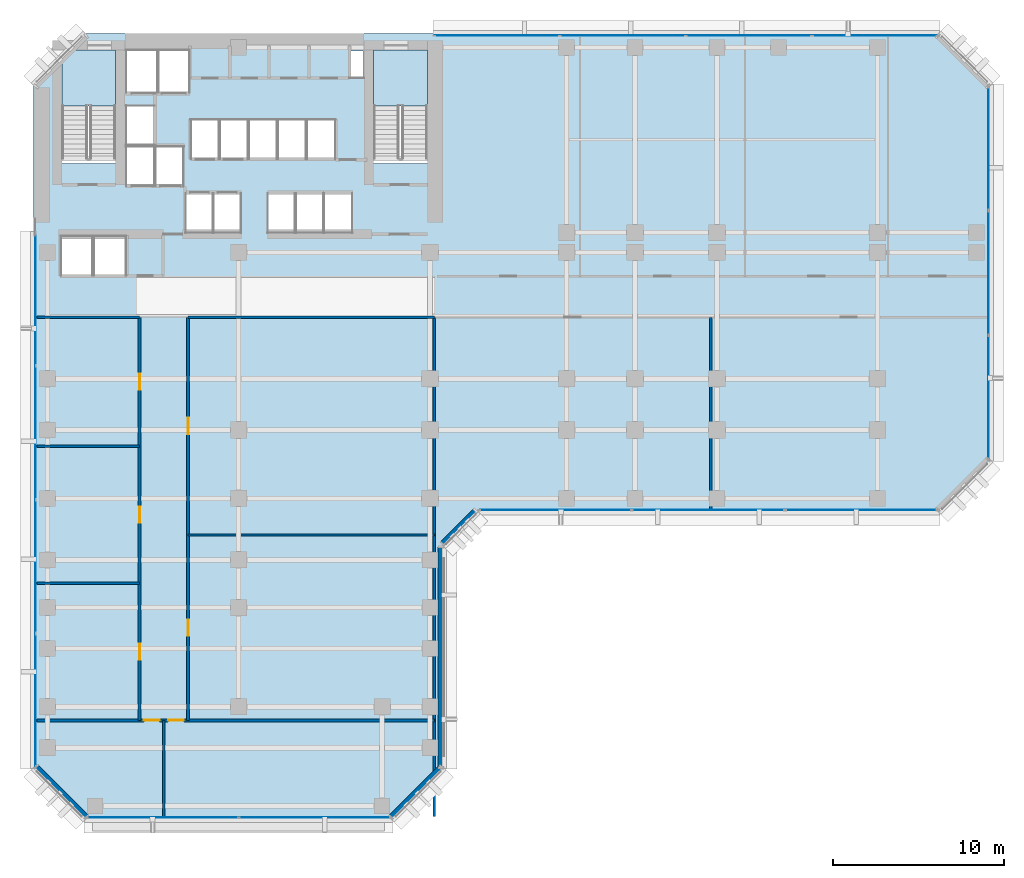
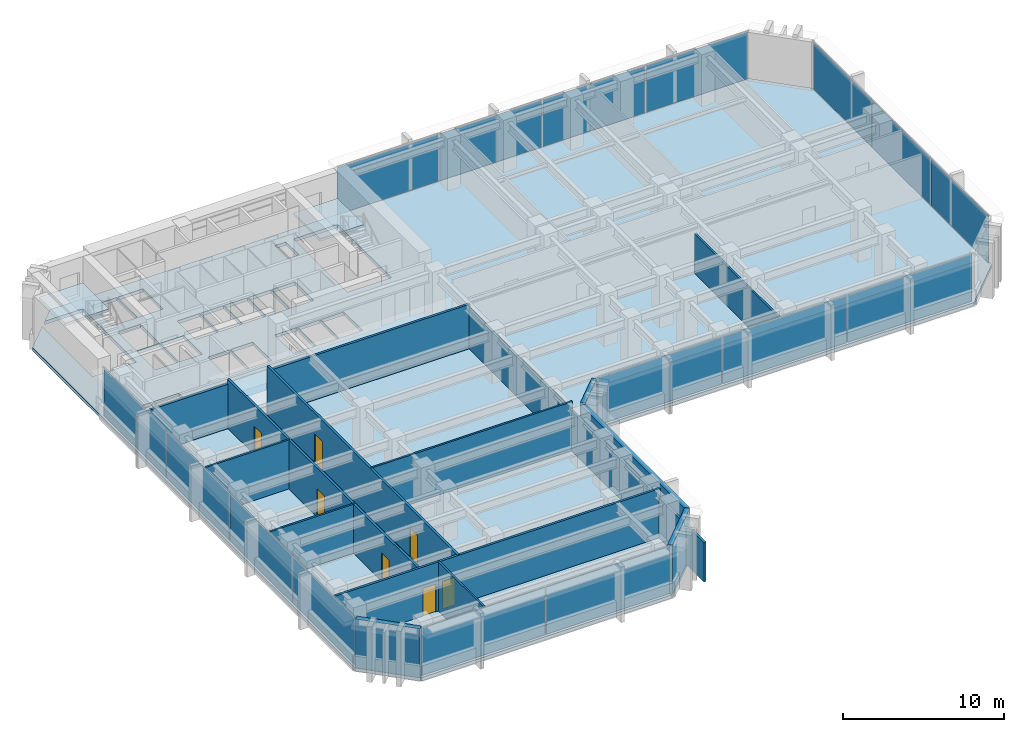
# One storey, part 6 of 14: 16 plates, 15 walls, 7 doors, 3 slabs, 7 openings, 7 elements without a shape of their own.
"""IFC4 building model written with IfcOpenShell, lengths in metres."""

from ifc_helpers import new_model, si_unit, direction, frame, frame_2d, origin, origin_2d, place, context, subcontext, project, spatial, polyline, rectangle, outline, extrude, material, layer, layer_set, type_object, element, fill, aggregate, save


model = new_model("IFC4")

# Units and contexts
model_context = context("Model", 3, precision=1e-05, world=origin(), true_north=direction((0.0, 1.0)))
body_context = subcontext(model_context, "Body", "Model", "MODEL_VIEW")
ifc_project = project(units=[si_unit("LENGTHUNIT", "METRE"), si_unit("AREAUNIT", "SQUARE_METRE"), si_unit("VOLUMEUNIT", "CUBIC_METRE"), si_unit("PLANEANGLEUNIT", "RADIAN"), si_unit("MASSUNIT", "GRAM", prefix="KILO")], contexts=[model_context])

# Site, building, storey
site_placement = place(None, origin())
site = spatial("IfcSite", under=ifc_project, at=site_placement, CompositionType="ELEMENT")
building_placement = place(site_placement, origin())
building = spatial("IfcBuilding", under=site, at=building_placement, Name="Kefirva Bronze Tower", CompositionType="ELEMENT")
storey_placement = place(building_placement, frame((0.0, 0.0, 42.239990234375)))
storey = spatial("IfcBuildingStorey", under=building, at=storey_placement, Name="L09", CompositionType="ELEMENT", Elevation=42.239990234375)

# Stair, slab
ifc_material_1 = material(Name="Concrete C40/50", Category="concrete")
stair_type = type_object("IfcStairType", Name="RC Dogleg Protected Stair 24R", PredefinedType="HALF_TURN_STAIR", material=ifc_material_1)
stair_1_placement = place(storey_placement, origin())
stair_1 = element("IfcStair", 1, at=stair_1_placement, inside=storey, type_object=stair_type, Name="L09 Protected Exit Stair 1", PredefinedType="HALF_TURN_STAIR")
ifc_layer_1 = layer(ifc_material_1, 0.199951171875, Name="Concrete C40/50")
ifc_layer_set_1 = layer_set([ifc_layer_1], Name="Concrete C40/50")
slab_type_1 = type_object("IfcSlabType", Name="RC Stair Landing Slab 200mm", PredefinedType="LANDING", material=ifc_layer_set_1)
slab_1_placement = place(storey_placement, frame((0.0, 0.0, 1.780029296875)))
slab_1 = element("IfcSlab", 2, at=slab_1_placement, type_object=slab_type_1, Name="ST-1 landing 1", PredefinedType="LANDING", context=body_context, shape_type="SweptSolid", body=[
    extrude(outline(polyline([(4.800048828125, 41.780029296875), (4.800048828125, 45.050048828125), (1.64990234375, 45.050048828125), (1.64990234375, 41.780029296875), (4.800048828125, 41.780029296875)])), origin(), (0.0, 0.0, 1.0), 0.199951171875),
])
aggregate(stair_1, [slab_1])

stair_2_placement = place(storey_placement, origin())
stair_2 = element("IfcStair", 3, at=stair_2_placement, inside=storey, type_object=stair_type, Name="L09 Protected Exit Stair 2", PredefinedType="HALF_TURN_STAIR")
slab_2_placement = place(storey_placement, frame((0.0, 0.0, 1.780029296875)))
slab_2 = element("IfcSlab", 4, at=slab_2_placement, type_object=slab_type_1, Name="ST-2 landing 1", PredefinedType="LANDING", context=body_context, shape_type="SweptSolid", body=[
    extrude(outline(polyline([(23.050048828125, 41.780029296875), (23.050048828125, 45.050048828125), (19.89990234375, 45.050048828125), (19.89990234375, 41.780029296875), (23.050048828125, 41.780029296875)])), origin(), (0.0, 0.0, 1.0), 0.199951171875),
])
aggregate(stair_2, [slab_2])

# Slab
ifc_layer_2 = layer(ifc_material_1, 0.25, Name="Concrete C40/50")
ifc_layer_set_2 = layer_set([ifc_layer_2], Name="Concrete C40/50")
slab_type_2 = type_object("IfcSlabType", Name="RC Tower Floor Slab 250mm", PredefinedType="FLOOR", material=ifc_layer_set_2)
slab_3_placement = place(storey_placement, frame((0.0, 0.0, -0.25)))
element("IfcSlab", 5, at=slab_3_placement, inside=storey, type_object=slab_type_2, Name="L09 Structural Floor Slab", PredefinedType="FLOOR", context=body_context, shape_type="SweptSolid", body=[
    extrude(outline(polyline([(0.0, 3.0), (0.0, 43.0), (1.64990234375, 44.64990234375), (1.64990234375, 38.39990234375), (4.800048828125, 38.39990234375), (4.800048828125, 45.050048828125), (2.050048828125, 45.050048828125), (3.0, 46.0), (53.0, 46.0), (56.0, 43.0), (56.0, 21.0), (53.0, 18.0), (26.0, 18.0), (24.0, 16.0), (24.0, 3.0), (21.0, 0.0), (3.0, 0.0), (0.0, 3.0)]), holes=[polyline([(19.89990234375, 38.39990234375), (23.050048828125, 38.39990234375), (23.050048828125, 45.050048828125), (19.89990234375, 45.050048828125), (19.89990234375, 38.39990234375)]), polyline([(18.52001953125, 43.419921875), (19.320068359375, 43.419921875), (19.320068359375, 45.0), (18.52001953125, 45.0), (18.52001953125, 43.419921875)]), polyline([(17.0, 34.35009765625), (18.64990234375, 34.35009765625), (18.64990234375, 36.64990234375), (17.0, 36.64990234375), (17.0, 34.35009765625)]), polyline([(17.64990234375, 38.679931640625), (17.64990234375, 40.97998046875), (16.0, 40.97998046875), (16.0, 38.679931640625), (17.64990234375, 38.679931640625)]), polyline([(16.949951171875, 34.35009765625), (16.949951171875, 36.64990234375), (15.35009765625, 36.64990234375), (15.35009765625, 34.35009765625), (16.949951171875, 34.35009765625)]), polyline([(15.929931640625, 38.679931640625), (15.929931640625, 40.97998046875), (14.300048828125, 40.97998046875), (14.300048828125, 38.679931640625), (15.929931640625, 38.679931640625)]), polyline([(15.300048828125, 34.35009765625), (15.300048828125, 36.64990234375), (13.699951171875, 36.64990234375), (13.699951171875, 34.35009765625), (15.300048828125, 34.35009765625)]), polyline([(14.22998046875, 38.679931640625), (14.22998046875, 40.97998046875), (12.60009765625, 40.97998046875), (12.60009765625, 38.679931640625), (14.22998046875, 38.679931640625)]), polyline([(10.89990234375, 38.679931640625), (12.530029296875, 38.679931640625), (12.530029296875, 40.97998046875), (10.89990234375, 40.97998046875), (10.89990234375, 38.679931640625)]), polyline([(12.139892578125, 34.35009765625), (12.139892578125, 36.64990234375), (10.5400390625, 36.64990234375), (10.5400390625, 34.35009765625), (12.139892578125, 34.35009765625)]), polyline([(10.830078125, 38.679931640625), (10.830078125, 40.97998046875), (9.199951171875, 40.97998046875), (9.199951171875, 38.679931640625), (10.830078125, 38.679931640625)]), polyline([(10.5, 34.35009765625), (10.5, 36.64990234375), (8.89990234375, 36.64990234375), (8.89990234375, 34.35009765625), (10.5, 34.35009765625)]), polyline([(7.300048828125, 42.550048828125), (9.1201171875, 42.550048828125), (9.1201171875, 45.050048828125), (7.300048828125, 45.050048828125), (7.300048828125, 42.550048828125)]), polyline([(7.139892578125, 37.10009765625), (8.780029296875, 37.10009765625), (8.780029296875, 39.39990234375), (7.139892578125, 39.39990234375), (7.139892578125, 37.10009765625)]), polyline([(5.419921875, 42.550048828125), (7.239990234375, 42.550048828125), (7.239990234375, 45.050048828125), (5.419921875, 45.050048828125), (5.419921875, 42.550048828125)]), polyline([(7.06005859375, 39.47998046875), (7.06005859375, 41.780029296875), (5.419921875, 41.780029296875), (5.419921875, 39.47998046875), (7.06005859375, 39.47998046875)]), polyline([(5.419921875, 37.10009765625), (7.06005859375, 37.10009765625), (7.06005859375, 39.39990234375), (5.419921875, 39.39990234375), (5.419921875, 37.10009765625)]), polyline([(5.39990234375, 31.85009765625), (5.39990234375, 34.14990234375), (3.550048828125, 34.14990234375), (3.550048828125, 31.85009765625), (5.39990234375, 31.85009765625)]), polyline([(3.449951171875, 31.85009765625), (3.449951171875, 34.14990234375), (1.60009765625, 34.14990234375), (1.60009765625, 31.85009765625), (3.449951171875, 31.85009765625)])]), origin(), (0.0, 0.0, 1.0), 0.25),
])

# Curtain wall, plates
ifc_material_2 = material(Name="Bronze anodised aluminium", Category="aluminium")
ifc_layer_3 = layer(ifc_material_2, 0.199951171875, Name="Bronze anodised aluminium")
ifc_layer_set_3 = layer_set([ifc_layer_3], Name="Bronze anodised aluminium")
curtain_wall_type = type_object("IfcCurtainWallType", Name="Unitised Bronze Ribbon Curtain Wall Zone 1", PredefinedType="USERDEFINED", material=ifc_layer_set_3)
curtain_wall_1_placement = place(storey_placement, origin())
curtain_wall_1 = element("IfcCurtainWall", 6, at=curtain_wall_1_placement, inside=storey, type_object=curtain_wall_type, Name="L09 Curtain Wall 1", ObjectType="UNITISED CURTAIN WALL", PredefinedType="USERDEFINED")
ifc_material_3 = material(Name="Laminated low-E double glazing", Category="glass")
ifc_layer_4 = layer(ifc_material_3, 0.031982421875, Name="Laminated low-E double glazing")
ifc_layer_set_4 = layer_set([ifc_layer_4], Name="Laminated low-E double glazing")
plate_type = type_object("IfcPlateType", Name="Solar-Control Low-E Vision Panel 32mm", PredefinedType="CURTAIN_PANEL", material=ifc_layer_set_4)
plate_1_placement = place(storey_placement, frame((7.546142578125, 0.1201171875, 0.074951171875), z_axis=(0.0, 0.0, 1.0), x_axis=(1.0, 0.0, 0.0)))
plate_1 = element("IfcPlate", 7, at=plate_1_placement, type_object=plate_type, Name="CW-01 panel 1.1", PredefinedType="CURTAIN_PANEL", context=body_context, shape_type="SweptSolid", body=[
    extrude(rectangle(XDim=8.83251953125, YDim=0.031982421875, at=origin_2d()), origin(), (0.0, 0.0, 1.0), 3.56005859375),
])
plate_2_placement = place(storey_placement, frame((16.453857421875, 0.1201171875, 0.074951171875), z_axis=(0.0, 0.0, 1.0), x_axis=(1.0, 0.0, 0.0)))
plate_2 = element("IfcPlate", 8, at=plate_2_placement, type_object=plate_type, Name="CW-01 panel 2.1", PredefinedType="CURTAIN_PANEL", context=body_context, shape_type="SweptSolid", body=[
    extrude(rectangle(XDim=8.83251953125, YDim=0.031982421875, at=origin_2d()), origin(), (0.0, 0.0, 1.0), 3.56005859375),
])
aggregate(curtain_wall_1, [plate_1, plate_2])

curtain_wall_2_placement = place(storey_placement, origin())
curtain_wall_2 = element("IfcCurtainWall", 9, at=curtain_wall_2_placement, inside=storey, type_object=curtain_wall_type, Name="L09 Curtain Wall 2", ObjectType="UNITISED CURTAIN WALL", PredefinedType="USERDEFINED")
plate_3_placement = place(storey_placement, frame((30.555419921875, 18.1201171875, 0.074951171875), z_axis=(0.0, 0.0, 1.0), x_axis=(1.0, 0.0, 0.0)))
plate_3 = element("IfcPlate", 10, at=plate_3_placement, type_object=plate_type, Name="CW-01 panel 1.1", PredefinedType="CURTAIN_PANEL", context=body_context, shape_type="SweptSolid", body=[
    extrude(rectangle(XDim=8.850830078125, YDim=0.031982421875, at=origin_2d()), origin(), (0.0, 0.0, 1.0), 3.56005859375),
])
plate_4_placement = place(storey_placement, frame((39.5, 18.1201171875, 0.074951171875), z_axis=(0.0, 0.0, 1.0), x_axis=(1.0, 0.0, 0.0)))
plate_4 = element("IfcPlate", 11, at=plate_4_placement, type_object=plate_type, Name="CW-01 panel 2.1", PredefinedType="CURTAIN_PANEL", context=body_context, shape_type="SweptSolid", body=[
    extrude(rectangle(XDim=8.888427734375, YDim=0.031982421875, at=origin_2d()), origin(), (0.0, 0.0, 1.0), 3.56005859375),
])
plate_5_placement = place(storey_placement, frame((48.444580078125, 18.1201171875, 0.074951171875), z_axis=(0.0, 0.0, 1.0), x_axis=(1.0, 0.0, 0.0)))
plate_5 = element("IfcPlate", 12, at=plate_5_placement, type_object=plate_type, Name="CW-01 panel 3.1", PredefinedType="CURTAIN_PANEL", context=body_context, shape_type="SweptSolid", body=[
    extrude(rectangle(XDim=8.850830078125, YDim=0.031982421875, at=origin_2d()), origin(), (0.0, 0.0, 1.0), 3.56005859375),
])
aggregate(curtain_wall_2, [plate_3, plate_4, plate_5])

curtain_wall_3_placement = place(storey_placement, origin())
curtain_wall_3 = element("IfcCurtainWall", 13, at=curtain_wall_3_placement, inside=storey, type_object=curtain_wall_type, Name="L09 Curtain Wall 3", ObjectType="UNITISED CURTAIN WALL", PredefinedType="USERDEFINED")
plate_6_placement = place(storey_placement, frame((55.8798828125, 24.72216796875, 0.074951171875), z_axis=(0.0, 0.0, 1.0), x_axis=(0.0, 1.0, 0.0)))
plate_6 = element("IfcPlate", 14, at=plate_6_placement, type_object=plate_type, Name="CW-01 panel 1.1", PredefinedType="CURTAIN_PANEL", context=body_context, shape_type="SweptSolid", body=[
    extrude(rectangle(XDim=7.18408203125, YDim=0.031982421875, at=origin_2d()), origin(), (0.0, 0.0, 1.0), 3.56005859375),
])
plate_7_placement = place(storey_placement, frame((55.8798828125, 32.0, 0.074951171875), z_axis=(0.0, 0.0, 1.0), x_axis=(0.0, 1.0, 0.0)))
plate_7 = element("IfcPlate", 15, at=plate_7_placement, type_object=plate_type, Name="CW-01 panel 2.1", PredefinedType="CURTAIN_PANEL", context=body_context, shape_type="SweptSolid", body=[
    extrude(rectangle(XDim=7.2216796875, YDim=0.031982421875, at=origin_2d()), origin(), (0.0, 0.0, 1.0), 3.56005859375),
])
plate_8_placement = place(storey_placement, frame((55.8798828125, 39.27783203125, 0.074951171875), z_axis=(0.0, 0.0, 1.0), x_axis=(0.0, 1.0, 0.0)))
plate_8 = element("IfcPlate", 16, at=plate_8_placement, type_object=plate_type, Name="CW-01 panel 3.1", PredefinedType="CURTAIN_PANEL", context=body_context, shape_type="SweptSolid", body=[
    extrude(rectangle(XDim=7.18408203125, YDim=0.031982421875, at=origin_2d()), origin(), (0.0, 0.0, 1.0), 3.56005859375),
])
aggregate(curtain_wall_3, [plate_6, plate_7, plate_8])

curtain_wall_4_placement = place(storey_placement, origin())
curtain_wall_4 = element("IfcCurtainWall", 17, at=curtain_wall_4_placement, inside=storey, type_object=curtain_wall_type, Name="L09 Curtain Wall 4", ObjectType="UNITISED CURTAIN WALL", PredefinedType="USERDEFINED")
plate_9_placement = place(storey_placement, frame((49.233642578125, 45.8798828125, 0.074951171875), z_axis=(0.0, 0.0, 1.0), x_axis=(-1.0, 0.0, 0.0)))
plate_9 = element("IfcPlate", 18, at=plate_9_placement, type_object=plate_type, Name="CW-01 panel 1.1", PredefinedType="CURTAIN_PANEL", context=body_context, shape_type="SweptSolid", body=[
    extrude(rectangle(XDim=7.2724609375, YDim=0.031982421875, at=origin_2d()), origin(), (0.0, 0.0, 1.0), 3.56005859375),
])
plate_10_placement = place(storey_placement, frame((41.867431640625, 45.8798828125, 0.074951171875), z_axis=(0.0, 0.0, 1.0), x_axis=(-1.0, 0.0, 0.0)))
plate_10 = element("IfcPlate", 19, at=plate_10_placement, type_object=plate_type, Name="CW-01 panel 2.1", PredefinedType="CURTAIN_PANEL", context=body_context, shape_type="SweptSolid", body=[
    extrude(rectangle(XDim=7.31005859375, YDim=0.031982421875, at=origin_2d()), origin(), (0.0, 0.0, 1.0), 3.56005859375),
])
plate_11_placement = place(storey_placement, frame((34.482421875, 45.8798828125, 0.074951171875), z_axis=(0.0, 0.0, 1.0), x_axis=(-1.0, 0.0, 0.0)))
plate_11 = element("IfcPlate", 20, at=plate_11_placement, type_object=plate_type, Name="CW-01 panel 3.1", PredefinedType="CURTAIN_PANEL", context=body_context, shape_type="SweptSolid", body=[
    extrude(rectangle(XDim=7.31005859375, YDim=0.031982421875, at=origin_2d()), origin(), (0.0, 0.0, 1.0), 3.56005859375),
])
plate_12_placement = place(storey_placement, frame((27.1162109375, 45.8798828125, 0.074951171875), z_axis=(0.0, 0.0, 1.0), x_axis=(-1.0, 0.0, 0.0)))
plate_12 = element("IfcPlate", 21, at=plate_12_placement, type_object=plate_type, Name="CW-01 panel 4.1", PredefinedType="CURTAIN_PANEL", context=body_context, shape_type="SweptSolid", body=[
    extrude(rectangle(XDim=7.2724609375, YDim=0.031982421875, at=origin_2d()), origin(), (0.0, 0.0, 1.0), 3.56005859375),
])
aggregate(curtain_wall_4, [plate_9, plate_10, plate_11, plate_12])

curtain_wall_5_placement = place(storey_placement, origin())
curtain_wall_5 = element("IfcCurtainWall", 22, at=curtain_wall_5_placement, inside=storey, type_object=curtain_wall_type, Name="L09 Curtain Wall 5", ObjectType="UNITISED CURTAIN WALL", PredefinedType="USERDEFINED")
plate_13_placement = place(storey_placement, frame((0.1201171875, 30.458740234375, 0.074951171875), z_axis=(0.0, 0.0, 1.0), x_axis=(0.0, -1.0, 0.0)))
plate_13 = element("IfcPlate", 23, at=plate_13_placement, type_object=plate_type, Name="CW-01 panel 1.1", PredefinedType="CURTAIN_PANEL", context=body_context, shape_type="SweptSolid", body=[
    extrude(rectangle(XDim=7.722412109375, YDim=0.031982421875, at=origin_2d()), origin(), (0.0, 0.0, 1.0), 3.56005859375),
])
plate_14_placement = place(storey_placement, frame((0.1201171875, 22.642578125, 0.074951171875), z_axis=(0.0, 0.0, 1.0), x_axis=(0.0, -1.0, 0.0)))
plate_14 = element("IfcPlate", 24, at=plate_14_placement, type_object=plate_type, Name="CW-01 panel 2.1", PredefinedType="CURTAIN_PANEL", context=body_context, shape_type="SweptSolid", body=[
    extrude(rectangle(XDim=7.760009765625, YDim=0.031982421875, at=origin_2d()), origin(), (0.0, 0.0, 1.0), 3.56005859375),
])
plate_15_placement = place(storey_placement, frame((0.1201171875, 14.8076171875, 0.074951171875), z_axis=(0.0, 0.0, 1.0), x_axis=(0.0, -1.0, 0.0)))
plate_15 = element("IfcPlate", 25, at=plate_15_placement, type_object=plate_type, Name="CW-01 panel 3.1", PredefinedType="CURTAIN_PANEL", context=body_context, shape_type="SweptSolid", body=[
    extrude(rectangle(XDim=7.760009765625, YDim=0.031982421875, at=origin_2d()), origin(), (0.0, 0.0, 1.0), 3.56005859375),
])
plate_16_placement = place(storey_placement, frame((0.1201171875, 6.9912109375, 0.074951171875), z_axis=(0.0, 0.0, 1.0), x_axis=(0.0, -1.0, 0.0)))
plate_16 = element("IfcPlate", 26, at=plate_16_placement, type_object=plate_type, Name="CW-01 panel 4.1", PredefinedType="CURTAIN_PANEL", context=body_context, shape_type="SweptSolid", body=[
    extrude(rectangle(XDim=7.722412109375, YDim=0.031982421875, at=origin_2d()), origin(), (0.0, 0.0, 1.0), 3.56005859375),
])
aggregate(curtain_wall_5, [plate_13, plate_14, plate_15, plate_16])

# Walls
ifc_material_4 = material(Name="Gypsum acoustic partition")
ifc_layer_5 = layer(ifc_material_4, 0.1298828125, Name="Gypsum acoustic partition")
ifc_layer_set_5 = layer_set([ifc_layer_5], Name="Gypsum acoustic partition")
wall_type_1 = type_object("IfcWallType", Name="Acoustic Office Partition 130mm", PredefinedType="PARTITIONING", material=ifc_layer_set_5)
wall_1_placement = place(storey_placement, frame((7.6201171875, 0.18994140625, 0.0), z_axis=(0.0, 0.0, 1.0), x_axis=(0.0, 1.0, 0.0)))
element("IfcWall", 27, at=wall_1_placement, inside=storey, type_object=wall_type_1, Name="L09 Partition W-L09-CAPDV", PredefinedType="PARTITIONING", context=body_context, shape_type="SweptSolid", body=[
    extrude(rectangle(XDim=5.610107421875, YDim=0.1298828125, at=frame_2d((2.80517578125, 0.0))), origin(), (0.0, 0.0, 1.0), 3.7099609375),
])
for number, where, z_axis, x_axis, name in (
    (28, (0.18994140625, 13.823974609375, 0.0), (0.0, 0.0, 1.0), (1.0, 0.0, 0.0), "L09 Partition W-L09-SWD1"),
    (29, (0.18994140625, 21.847900390625, 0.0), (0.0, 0.0, 1.0), (1.0, 0.0, 0.0), "L09 Partition W-L09-SWD2"),
):
    element("IfcWall", number, at=place(storey_placement, frame(where, z_axis=z_axis, x_axis=x_axis)), inside=storey, type_object=wall_type_1, Name=name, PredefinedType="PARTITIONING", context=body_context, shape_type="SweptSolid", body=[
        extrude(rectangle(XDim=6.010009765625, YDim=0.1298828125, at=frame_2d((3.0048828125, 0.0))), origin(), (0.0, 0.0, 1.0), 3.7099609375),
    ])
wall_2_placement = place(storey_placement, frame((9.0400390625, 16.656005859375, 0.0), z_axis=(0.0, 0.0, 1.0), x_axis=(1.0, 0.0, 0.0)))
element("IfcWall", 30, at=wall_2_placement, inside=storey, type_object=wall_type_1, Name="L09 Partition W-L09-SED1", PredefinedType="PARTITIONING", context=body_context, shape_type="SweptSolid", body=[
    extrude(rectangle(XDim=14.409912109375, YDim=0.1298828125, at=frame_2d((7.205078125, 0.0))), origin(), (0.0, 0.0, 1.0), 3.7099609375),
])
wall_3_placement = place(storey_placement, frame((39.6298828125, 18.18994140625, 0.0), z_axis=(0.0, 0.0, 1.0), x_axis=(0.0, 1.0, 0.0)))
element("IfcWall", 31, at=wall_3_placement, inside=storey, type_object=wall_type_1, Name="L09 Partition W-L09-ESD1", PredefinedType="PARTITIONING", context=body_context, shape_type="SweptSolid", body=[
    extrude(rectangle(XDim=11.2099609375, YDim=0.1298828125, at=frame_2d((5.60498046875, 0.0))), origin(), (0.0, 0.0, 1.0), 2.9951171875),
])
ifc_material_5 = material(Name="Precast concrete C40/50", Category="concrete")
ifc_layer_6 = layer(ifc_material_5, 0.320068359375, Name="Precast concrete C40/50")
ifc_layer_set_6 = layer_set([ifc_layer_6], Name="Precast concrete C40/50")
wall_type_2 = type_object("IfcWallType", Name="Precast Insulated Exterior Wall 320mm", PredefinedType="SOLIDWALL", material=ifc_layer_set_6)
wall_4_placement = place(storey_placement, frame((20.92578125, 0.152099609375, 0.0), z_axis=(0.0, 0.0, 1.0), x_axis=(0.707106781187, 0.707106781187, 0.0)))
element("IfcWall", 32, at=wall_4_placement, inside=storey, type_object=wall_type_2, Name="L09 Exterior Facade Wall 1", PredefinedType="SOLIDWALL", context=body_context, shape_type="SweptSolid", body=[
    extrude(rectangle(XDim=4.132568359375, YDim=0.320068359375, at=frame_2d((2.06640625, 0.0))), origin(), (0.0, 0.0, 1.0), 3.7099609375),
])
wall_5_placement = place(storey_placement, frame((23.840087890625, 3.054931640625, 0.0), z_axis=(0.0, 0.0, 1.0), x_axis=(0.0, 1.0, 0.0)))
element("IfcWall", 33, at=wall_5_placement, inside=storey, type_object=wall_type_2, Name="L09 Exterior Facade Wall 2", PredefinedType="SOLIDWALL", context=body_context, shape_type="SweptSolid", body=[
    extrude(rectangle(XDim=12.89013671875, YDim=0.320068359375, at=frame_2d((6.445068359375, 0.0))), origin(), (0.0, 0.0, 1.0), 3.7099609375),
])
wall_6_placement = place(storey_placement, frame((23.92578125, 16.152099609375, 0.0), z_axis=(0.0, 0.0, 1.0), x_axis=(0.707106781187, 0.707106781187, 0.0)))
element("IfcWall", 34, at=wall_6_placement, inside=storey, type_object=wall_type_2, Name="L09 Exterior Facade Wall 3", PredefinedType="SOLIDWALL", context=body_context, shape_type="SweptSolid", body=[
    extrude(rectangle(XDim=2.71826171875, YDim=0.320068359375, at=frame_2d((1.359130859375, 0.0))), origin(), (0.0, 0.0, 1.0), 3.7099609375),
])
wall_7_placement = place(storey_placement, frame((0.152099609375, 3.07421875, 0.0), z_axis=(0.0, 0.0, 1.0), x_axis=(0.707106781187, -0.707106781187, 0.0)))
element("IfcWall", 35, at=wall_7_placement, inside=storey, type_object=wall_type_2, Name="L09 Exterior Facade Wall 7", PredefinedType="SOLIDWALL", context=body_context, shape_type="SweptSolid", body=[
    extrude(rectangle(XDim=4.132568359375, YDim=0.320068359375, at=frame_2d((2.06640625, 0.0))), origin(), (0.0, 0.0, 1.0), 3.7099609375),
])

# Wall, openings, doors
ifc_layer_7 = layer(ifc_material_4, 0.159912109375, Name="Gypsum acoustic partition")
ifc_layer_set_7 = layer_set([ifc_layer_7], Name="Gypsum acoustic partition")
wall_type_3 = type_object("IfcWallType", Name="Protected Corridor Partition 160mm", PredefinedType="PARTITIONING", material=ifc_layer_set_7)
wall_8_placement = place(storey_placement, frame((6.199951171875, 5.800048828125, 0.0), z_axis=(0.0, 0.0, 1.0), x_axis=(0.0, 1.0, 0.0)))
wall_8 = element("IfcWall", 36, at=wall_8_placement, inside=storey, type_object=wall_type_3, Name="L09 Partition W-L09-SWCORW", PredefinedType="PARTITIONING", context=body_context, shape_type="SweptSolid", body=[
    extrude(rectangle(XDim=23.599853515625, YDim=0.159912109375, at=frame_2d((11.7998046875, 0.0))), origin(), (0.0, 0.0, 1.0), 3.7099609375),
])
opening_1_placement = place(wall_8_placement, frame((4.487060546875, 0.0, 0.0), z_axis=(0.0, 0.0, 1.0), x_axis=(-1.0, 0.0, 0.0)))
opening_1 = element("IfcOpeningElement", 37, at=opening_1_placement, cuts=wall_8, Name="Opening L09-D-SW1", PredefinedType="OPENING", context=body_context, shape_type="SweptSolid", body=[
    extrude(rectangle(XDim=0.949951171875, YDim=2.14990234375, at=frame_2d((0.47509765625, 1.074951171875))), frame((0.0, 0.08984375, 0.0), z_axis=(0.0, -1.0, 0.0), x_axis=(1.0, 0.0, 0.0)), (0.0, 0.0, 1.0), 0.179931640625),
])
opening_2_placement = place(wall_8_placement, frame((12.510986328125, 0.0, 0.0), z_axis=(0.0, 0.0, 1.0), x_axis=(-1.0, 0.0, 0.0)))
opening_2 = element("IfcOpeningElement", 38, at=opening_2_placement, cuts=wall_8, Name="Opening L09-D-SW2", PredefinedType="OPENING", context=body_context, shape_type="SweptSolid", body=[
    extrude(rectangle(XDim=0.949951171875, YDim=2.14990234375, at=frame_2d((0.47509765625, 1.074951171875))), frame((0.0, 0.08984375, 0.0), z_axis=(0.0, -1.0, 0.0), x_axis=(1.0, 0.0, 0.0)), (0.0, 0.0, 1.0), 0.179931640625),
])
opening_3_placement = place(wall_8_placement, frame((20.299072265625, 0.0, 0.0), z_axis=(0.0, 0.0, 1.0), x_axis=(-1.0, 0.0, 0.0)))
opening_3 = element("IfcOpeningElement", 39, at=opening_3_placement, cuts=wall_8, Name="Opening L09-D-SW3", PredefinedType="OPENING", context=body_context, shape_type="SweptSolid", body=[
    extrude(rectangle(XDim=0.949951171875, YDim=2.14990234375, at=frame_2d((0.47509765625, 1.074951171875))), frame((0.0, 0.08984375, 0.0), z_axis=(0.0, -1.0, 0.0), x_axis=(1.0, 0.0, 0.0)), (0.0, 0.0, 1.0), 0.179931640625),
])
ifc_material_6 = material(Name="Acoustic hardwood oak", Category="wood")
door_type_1 = type_object("IfcDoorType", Name="Office & Meeting Room Door 950x2150", OperationType="NOTDEFINED", PredefinedType="DOOR", material=ifc_material_6)
door_1_placement = place(opening_1_placement, origin())
door_1 = element("IfcDoor", 40, at=door_1_placement, inside=storey, type_object=door_type_1, Name="Door L09-D-SW1", OperationType="SINGLE_SWING_LEFT", OverallHeight=2.14990234375, OverallWidth=0.949951171875, PredefinedType="DOOR", context=body_context, shape_type="SweptSolid", body=[
    extrude(rectangle(XDim=0.949951171875, YDim=2.14990234375, at=frame_2d((0.47509765625, 1.074951171875))), frame((0.0, 0.02490234375, 0.0), z_axis=(0.0, -1.0, 0.0), x_axis=(1.0, 0.0, 0.0)), (0.0, 0.0, 1.0), 0.050048828125),
])
fill(opening_1, door_1)
door_2_placement = place(opening_2_placement, origin())
door_2 = element("IfcDoor", 41, at=door_2_placement, inside=storey, type_object=door_type_1, Name="Door L09-D-SW2", OperationType="SINGLE_SWING_RIGHT", OverallHeight=2.14990234375, OverallWidth=0.949951171875, PredefinedType="DOOR", context=body_context, shape_type="SweptSolid", body=[
    extrude(rectangle(XDim=0.949951171875, YDim=2.14990234375, at=frame_2d((0.47509765625, 1.074951171875))), frame((0.0, 0.02490234375, 0.0), z_axis=(0.0, -1.0, 0.0), x_axis=(1.0, 0.0, 0.0)), (0.0, 0.0, 1.0), 0.050048828125),
])
fill(opening_2, door_2)
door_3_placement = place(opening_3_placement, origin())
door_3 = element("IfcDoor", 42, at=door_3_placement, inside=storey, type_object=door_type_1, Name="Door L09-D-SW3", OperationType="SINGLE_SWING_LEFT", OverallHeight=2.14990234375, OverallWidth=0.949951171875, PredefinedType="DOOR", context=body_context, shape_type="SweptSolid", body=[
    extrude(rectangle(XDim=0.949951171875, YDim=2.14990234375, at=frame_2d((0.47509765625, 1.074951171875))), frame((0.0, 0.02490234375, 0.0), z_axis=(0.0, -1.0, 0.0), x_axis=(1.0, 0.0, 0.0)), (0.0, 0.0, 1.0), 0.050048828125),
])
fill(opening_3, door_3)

wall_9_placement = place(storey_placement, frame((9.0400390625, 5.800048828125, 0.0), z_axis=(0.0, 0.0, 1.0), x_axis=(0.0, 1.0, 0.0)))
wall_9 = element("IfcWall", 43, at=wall_9_placement, inside=storey, type_object=wall_type_3, Name="L09 Partition W-L09-SECORE", PredefinedType="PARTITIONING", context=body_context, shape_type="SweptSolid", body=[
    extrude(rectangle(XDim=23.599853515625, YDim=0.159912109375, at=frame_2d((11.7998046875, 0.0))), origin(), (0.0, 0.0, 1.0), 3.7099609375),
])
opening_4_placement = place(wall_9_placement, frame((4.952880859375, 0.0, 0.0)))
opening_4 = element("IfcOpeningElement", 44, at=opening_4_placement, cuts=wall_9, Name="Opening L09-D-SE1", PredefinedType="OPENING", context=body_context, shape_type="SweptSolid", body=[
    extrude(rectangle(XDim=0.949951171875, YDim=2.14990234375, at=frame_2d((0.47509765625, 1.074951171875))), frame((0.0, 0.08984375, 0.0), z_axis=(0.0, -1.0, 0.0), x_axis=(1.0, 0.0, 0.0)), (0.0, 0.0, 1.0), 0.179931640625),
])
opening_5_placement = place(wall_9_placement, frame((16.7529296875, 0.0, 0.0)))
opening_5 = element("IfcOpeningElement", 45, at=opening_5_placement, cuts=wall_9, Name="Opening L09-D-SE2", PredefinedType="OPENING", context=body_context, shape_type="SweptSolid", body=[
    extrude(rectangle(XDim=0.949951171875, YDim=2.14990234375, at=frame_2d((0.47509765625, 1.074951171875))), frame((0.0, 0.08984375, 0.0), z_axis=(0.0, -1.0, 0.0), x_axis=(1.0, 0.0, 0.0)), (0.0, 0.0, 1.0), 0.179931640625),
])
door_4_placement = place(opening_4_placement, origin())
door_4 = element("IfcDoor", 46, at=door_4_placement, inside=storey, type_object=door_type_1, Name="Door L09-D-SE1", OperationType="SINGLE_SWING_RIGHT", OverallHeight=2.14990234375, OverallWidth=0.949951171875, PredefinedType="DOOR", context=body_context, shape_type="SweptSolid", body=[
    extrude(rectangle(XDim=0.949951171875, YDim=2.14990234375, at=frame_2d((0.47509765625, 1.074951171875))), frame((0.0, 0.02490234375, 0.0), z_axis=(0.0, -1.0, 0.0), x_axis=(1.0, 0.0, 0.0)), (0.0, 0.0, 1.0), 0.050048828125),
])
fill(opening_4, door_4)
door_5_placement = place(opening_5_placement, origin())
door_5 = element("IfcDoor", 47, at=door_5_placement, inside=storey, type_object=door_type_1, Name="Door L09-D-SE2", OperationType="SINGLE_SWING_LEFT", OverallHeight=2.14990234375, OverallWidth=0.949951171875, PredefinedType="DOOR", context=body_context, shape_type="SweptSolid", body=[
    extrude(rectangle(XDim=0.949951171875, YDim=2.14990234375, at=frame_2d((0.47509765625, 1.074951171875))), frame((0.0, 0.02490234375, 0.0), z_axis=(0.0, -1.0, 0.0), x_axis=(1.0, 0.0, 0.0)), (0.0, 0.0, 1.0), 0.050048828125),
])
fill(opening_5, door_5)

wall_10_placement = place(storey_placement, frame((0.18994140625, 5.800048828125, 0.0), z_axis=(0.0, 0.0, 1.0), x_axis=(1.0, 0.0, 0.0)))
wall_10 = element("IfcWall", 48, at=wall_10_placement, inside=storey, type_object=wall_type_3, Name="L09 Partition W-L09-SBEND", PredefinedType="PARTITIONING", context=body_context, shape_type="SweptSolid", body=[
    extrude(rectangle(XDim=23.260009765625, YDim=0.159912109375, at=frame_2d((11.6298828125, 0.0))), origin(), (0.0, 0.0, 1.0), 3.7099609375),
])
opening_6_placement = place(wall_10_placement, frame((6.260009765625, 0.0, 0.0)))
opening_6 = element("IfcOpeningElement", 49, at=opening_6_placement, cuts=wall_10, Name="Opening L09-D-SEND1", PredefinedType="OPENING", context=body_context, shape_type="SweptSolid", body=[
    extrude(rectangle(XDim=0.919921875, YDim=2.10009765625, at=frame_2d((0.4599609375, 1.050048828125))), frame((0.0, 0.08984375, 0.0), z_axis=(0.0, -1.0, 0.0), x_axis=(1.0, 0.0, 0.0)), (0.0, 0.0, 1.0), 0.179931640625),
])
opening_7_placement = place(wall_10_placement, frame((7.679931640625, 0.0, 0.0)))
opening_7 = element("IfcOpeningElement", 50, at=opening_7_placement, cuts=wall_10, Name="Opening L09-D-SEND2", PredefinedType="OPENING", context=body_context, shape_type="SweptSolid", body=[
    extrude(rectangle(XDim=0.919921875, YDim=2.10009765625, at=frame_2d((0.4599609375, 1.050048828125))), frame((0.0, 0.08984375, 0.0), z_axis=(0.0, -1.0, 0.0), x_axis=(1.0, 0.0, 0.0)), (0.0, 0.0, 1.0), 0.179931640625),
])
ifc_material_7 = material(Name="Moisture-resistant timber", Category="wood")
door_type_2 = type_object("IfcDoorType", Name="Accessible Sanitary & WC Door 920x2100", OperationType="NOTDEFINED", PredefinedType="DOOR", material=ifc_material_7)
door_6_placement = place(opening_6_placement, origin())
door_6 = element("IfcDoor", 51, at=door_6_placement, inside=storey, type_object=door_type_2, Name="Door L09-D-SEND1", OperationType="SINGLE_SWING_LEFT", OverallHeight=2.10009765625, OverallWidth=0.919921875, PredefinedType="DOOR", context=body_context, shape_type="SweptSolid", body=[
    extrude(rectangle(XDim=0.919921875, YDim=2.10009765625, at=frame_2d((0.4599609375, 1.050048828125))), frame((0.0, 0.02490234375, 0.0), z_axis=(0.0, -1.0, 0.0), x_axis=(1.0, 0.0, 0.0)), (0.0, 0.0, 1.0), 0.050048828125),
])
fill(opening_6, door_6)
door_7_placement = place(opening_7_placement, origin())
door_7 = element("IfcDoor", 52, at=door_7_placement, inside=storey, type_object=door_type_2, Name="Door L09-D-SEND2", OperationType="SINGLE_SWING_RIGHT", OverallHeight=2.10009765625, OverallWidth=0.919921875, PredefinedType="DOOR", context=body_context, shape_type="SweptSolid", body=[
    extrude(rectangle(XDim=0.919921875, YDim=2.10009765625, at=frame_2d((0.4599609375, 1.050048828125))), frame((0.0, 0.02490234375, 0.0), z_axis=(0.0, -1.0, 0.0), x_axis=(1.0, 0.0, 0.0)), (0.0, 0.0, 1.0), 0.050048828125),
])
fill(opening_7, door_7)

# Walls
wall_11_placement = place(storey_placement, frame((0.18994140625, 29.39990234375, 0.0), z_axis=(0.0, 0.0, 1.0), x_axis=(1.0, 0.0, 0.0)))
element("IfcWall", 53, at=wall_11_placement, inside=storey, type_object=wall_type_3, Name="L09 Partition W-L09-NWT", PredefinedType="PARTITIONING", context=body_context, shape_type="SweptSolid", body=[
    extrude(rectangle(XDim=6.010009765625, YDim=0.159912109375, at=frame_2d((3.0048828125, 0.0))), origin(), (0.0, 0.0, 1.0), 3.364990234375),
])
wall_12_placement = place(storey_placement, frame((9.0400390625, 29.39990234375, 0.0), z_axis=(0.0, 0.0, 1.0), x_axis=(1.0, 0.0, 0.0)))
element("IfcWall", 54, at=wall_12_placement, inside=storey, type_object=wall_type_3, Name="L09 Partition W-L09-NET", PredefinedType="PARTITIONING", context=body_context, shape_type="SweptSolid", body=[
    extrude(rectangle(XDim=14.409912109375, YDim=0.159912109375, at=frame_2d((7.205078125, 0.0))), origin(), (0.0, 0.0, 1.0), 3.364990234375),
])
wall_13_placement = place(storey_placement, frame((23.449951171875, 0.18994140625, 0.0), z_axis=(0.0, 0.0, 1.0), x_axis=(0.0, 1.0, 0.0)))
element("IfcWall", 55, at=wall_13_placement, inside=storey, type_object=wall_type_3, Name="L09 Partition W-L09-SWEAST", PredefinedType="PARTITIONING", context=body_context, shape_type="SweptSolid", body=[
    extrude(rectangle(XDim=29.2099609375, YDim=0.159912109375, at=frame_2d((14.60498046875, 0.0))), origin(), (0.0, 0.0, 1.0), 2.9951171875),
])

save(model, "model.ifc")
